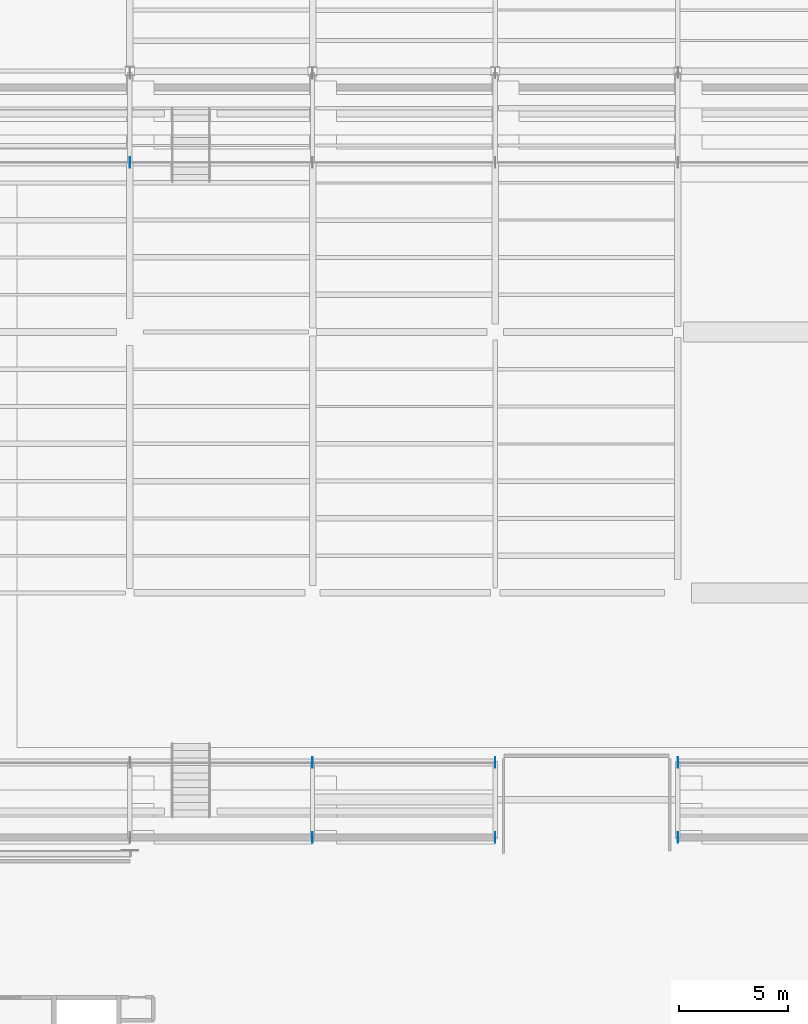
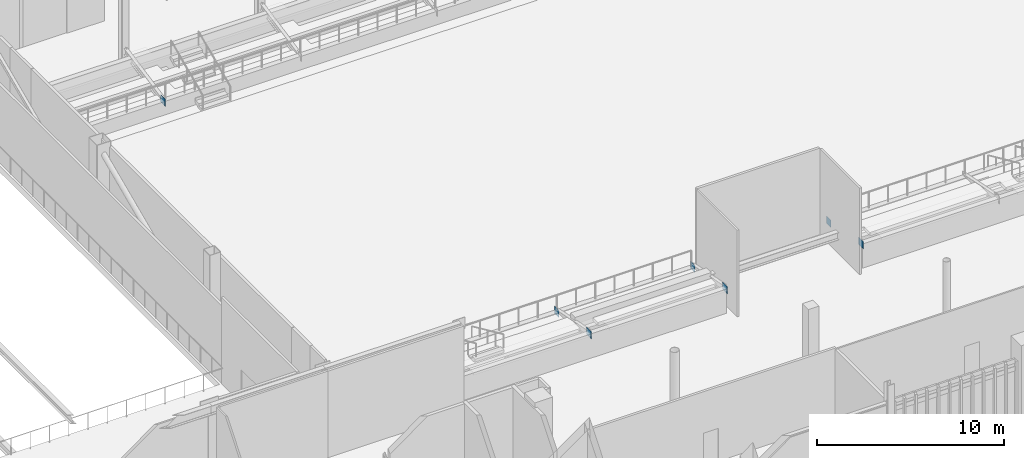
# One storey, part 87 of 135: 7 plates.
"""IFC4 building model written with IfcOpenShell, lengths in metres."""

import ifcopenshell
import ifcopenshell.guid

model = None  # the IFC model being written
_history = None  # IfcOwnerHistory: only IFC2X3 demands one
_inside = {}  # id of a spatial element -> (the spatial element, [elements in it])
_under = {}  # id of a project, library or spatial element -> (it, [spatial elements below it])
_declared = {}  # id of a project -> (the project, [libraries it declares])
_typed = {}  # id of a type object -> (the type object, [elements of that type])
_made_of = {}  # id of a material, layer set ... -> (it, [elements and type objects made of it])


def new_model(schema):
    """Start an empty IFC model of exactly this schema.

    Asked for "IFC4X3", IfcOpenShell would pick the latest addendum, in which some entities
    have other attributes; the version numbers below select the first issue.
    IFC2X3 requires an IfcOwnerHistory on every rooted entity: one is made here for all.
    """
    global model, _history
    if schema == "IFC4X3":
        model = ifcopenshell.file(schema_version=(4, 3, 0, 0))
    else:
        model = ifcopenshell.file(schema=schema)
    _inside.clear()
    _under.clear()
    _declared.clear()
    _typed.clear()
    _made_of.clear()
    _history = None
    if model.schema == "IFC2X3":
        org = make("IfcOrganization", Name="unknown")
        user = make(
            "IfcPersonAndOrganization",
            ThePerson=make("IfcPerson", FamilyName="unknown"),
            TheOrganization=org,
        )
        app = make(
            "IfcApplication",
            ApplicationDeveloper=org,
            Version="unknown",
            ApplicationFullName="unknown",
            ApplicationIdentifier="unknown",
        )
        _history = make(
            "IfcOwnerHistory",
            OwningUser=user,
            OwningApplication=app,
            ChangeAction="ADDED",
            CreationDate=0,
        )
    return model


def make(cls, **values):
    """One entity of the class cls with the attributes given. An attribute that is None is left unset."""
    return model.create_entity(
        cls, **{name: value for name, value in values.items() if value is not None}
    )


def rooted(cls, **values):
    """An entity with a GlobalId (a new one), such as an element, a storey or a relation."""
    return make(cls, GlobalId=ifcopenshell.guid.new(), OwnerHistory=_history, **values)


def si_unit(unit_type, name, prefix=None):
    """IfcSIUnit, for example si_unit("LENGTHUNIT", "METRE", prefix="MILLI")."""
    return make("IfcSIUnit", UnitType=unit_type, Prefix=prefix, Name=name)


def assignment(units):
    """IfcUnitAssignment: the units of a project."""
    return None if units is None else make("IfcUnitAssignment", Units=units)


def point(xyz):
    """IfcCartesianPoint."""
    return None if xyz is None else make("IfcCartesianPoint", Coordinates=xyz)


def direction(xyz):
    """IfcDirection."""
    return None if xyz is None else make("IfcDirection", DirectionRatios=xyz)


def frame(location, z_axis=None, x_axis=None):
    """IfcAxis2Placement3D, a coordinate frame: its origin and axes. An axis left out is left unset."""
    return make(
        "IfcAxis2Placement3D",
        Location=point(location),
        Axis=direction(z_axis),
        RefDirection=direction(x_axis),
    )


def frame_2d(location, x_axis=None):
    """IfcAxis2Placement2D, a coordinate frame in the plane: its origin and x axis."""
    return make(
        "IfcAxis2Placement2D", Location=point(location), RefDirection=direction(x_axis)
    )


def origin():
    """The frame at (0, 0, 0) with its axes left unset."""
    return frame((0.0, 0.0, 0.0))


def origin_2d():
    """The frame at (0, 0) in the plane with its x axis left unset."""
    return frame_2d((0.0, 0.0))


def place(relative_to, where):
    """IfcLocalPlacement: puts the frame where relative to a parent placement (None: the world)."""
    return make(
        "IfcLocalPlacement", PlacementRelTo=relative_to, RelativePlacement=where
    )


def context(
    kind, dimensions, precision=None, world=None, true_north=None, identifier=None
):
    """IfcGeometricRepresentationContext, for example the 3D "Model" context."""
    return make(
        "IfcGeometricRepresentationContext",
        ContextIdentifier=identifier,
        ContextType=kind,
        CoordinateSpaceDimension=dimensions,
        Precision=precision,
        WorldCoordinateSystem=world,
        TrueNorth=true_north,
    )


def subcontext(parent, identifier, kind, view, scale=None):
    """IfcGeometricRepresentationSubContext, for example "Body" below "Model"."""
    return make(
        "IfcGeometricRepresentationSubContext",
        ContextIdentifier=identifier,
        ContextType=kind,
        ParentContext=parent,
        TargetScale=scale,
        TargetView=view,
    )


def project(units=None, contexts=None):
    """IfcProject with its units and contexts."""
    return rooted(
        "IfcProject",
        Name="project",
        RepresentationContexts=contexts,
        UnitsInContext=assignment(units),
    )


def spatial(cls, under=None, at=None, **own):
    """A site, building, storey or space (cls), placed at a placement, below another one or the project."""
    s = rooted(cls, ObjectPlacement=at, **own)
    if under is not None:
        _under.setdefault(under.id(), (under, []))[1].append(s)
    return s


def profile(cls, at=None, kind="AREA", **sizes):
    """A parametric profile (cls). Its sizes go by their IFC names, for example OverallWidth=200.0."""
    return make(cls, ProfileType=kind, Position=at, **sizes)


def rectangle(**sizes):
    """IfcRectangleProfileDef."""
    return profile("IfcRectangleProfileDef", **sizes)


def extrude(swept, where, along, depth):
    """IfcExtrudedAreaSolid: the profile swept, set in the frame where, extruded along a direction by depth."""
    return make(
        "IfcExtrudedAreaSolid",
        SweptArea=swept,
        Position=where,
        ExtrudedDirection=direction(along),
        Depth=depth,
    )


def shape(context_of_items, identifier, shape_type, items):
    """IfcShapeRepresentation: the items that make up one representation, for example the "Body"."""
    return make(
        "IfcShapeRepresentation",
        ContextOfItems=context_of_items,
        RepresentationIdentifier=identifier,
        RepresentationType=shape_type,
        Items=items,
    )


def material(Name=None, Category=None):
    """IfcMaterial."""
    return make("IfcMaterial", Name=Name, Category=Category)


def layer(
    of_material, thickness, ventilated=None, Name=None, Category=None, Priority=None
):
    """IfcMaterialLayer: one layer of a wall or slab, of a material (None: an air gap)."""
    return make(
        "IfcMaterialLayer",
        Material=of_material,
        LayerThickness=thickness,
        IsVentilated=ventilated,
        Name=Name,
        Category=Category,
        Priority=Priority,
    )


def layer_set(layers, Name=None):
    """IfcMaterialLayerSet."""
    return make("IfcMaterialLayerSet", MaterialLayers=layers, LayerSetName=Name)


def made_of(thing, what):
    """Note that an element or type object is made of a material, layer set ...; save() writes the relation."""
    if what is not None:
        _made_of.setdefault(what.id(), (what, []))[1].append(thing)
    return thing


def type_object(cls, material=None, **own):
    """A type object (cls), such as IfcWallType, which elements share."""
    return made_of(rooted(cls, **own), material)


def element(
    cls,
    number,
    at=None,
    inside=None,
    cuts=None,
    type_object=None,
    material=None,
    context=None,
    identifier="Body",
    shape_type=None,
    held_by="IfcProductDefinitionShape",
    body=None,
    shapes=None,
    **own,
):
    """One element of the class cls, such as IfcWall. Its Tag is "e" and its number.

    at: its placement. inside: the storey or other place that contains it. cuts: it is an
    opening in that element (IfcRelVoidsElement). A single representation is given by context,
    identifier, shape_type and body (its items); several are given by shapes. held_by: the class
    of the entity that holds the representations. save() writes the other relations.
    """
    e = rooted(cls, Tag="e%d" % number, ObjectPlacement=at, **own)
    if body is not None:
        shapes = [shape(context, identifier, shape_type, body)]
    if shapes is not None:
        e.Representation = make(held_by, Representations=shapes)
    if inside is not None:
        _inside.setdefault(inside.id(), (inside, []))[1].append(e)
    if cuts is not None:
        rooted(
            "IfcRelVoidsElement", RelatingBuildingElement=cuts, RelatedOpeningElement=e
        )
    if type_object is not None:
        _typed.setdefault(type_object.id(), (type_object, []))[1].append(e)
    return made_of(e, material)


def aggregate(whole, parts):
    """IfcRelAggregates: a whole, such as a stair, and the parts it consists of."""
    return rooted("IfcRelAggregates", RelatingObject=whole, RelatedObjects=parts)


def save(model, path):
    """Write the relations noted so far, then the file.

    IfcRelAggregates (storeys below a building ...), IfcRelContainedInSpatialStructure (elements
    in a storey), IfcRelDefinesByType, IfcRelAssociatesMaterial and IfcRelDeclares: one each for
    every whole, place, type object, material and project.
    """
    for whole, parts in _under.values():
        aggregate(whole, parts)
    for where, things in _inside.values():
        rooted(
            "IfcRelContainedInSpatialStructure",
            RelatedElements=things,
            RelatingStructure=where,
        )
    for kind, things in _typed.values():
        rooted("IfcRelDefinesByType", RelatedObjects=things, RelatingType=kind)
    for what, things in _made_of.values():
        rooted("IfcRelAssociatesMaterial", RelatedObjects=things, RelatingMaterial=what)
    for by, libraries in _declared.values():
        rooted("IfcRelDeclares", RelatingContext=by, RelatedDefinitions=libraries)
    model.write(path)


model = new_model("IFC4")

# Units and contexts
model_context = context("Model", 3, precision=1e-05, world=origin(), true_north=direction((0.0, 1.0)))
body_context = subcontext(model_context, "Body", "Model", "MODEL_VIEW")
ifc_project = project(units=[si_unit("LENGTHUNIT", "METRE"), si_unit("AREAUNIT", "SQUARE_METRE"), si_unit("VOLUMEUNIT", "CUBIC_METRE"), si_unit("PLANEANGLEUNIT", "RADIAN"), si_unit("MASSUNIT", "GRAM", prefix="KILO")], contexts=[model_context])

# Site, building, storey
site_placement = place(None, origin())
site = spatial("IfcSite", under=ifc_project, at=site_placement, CompositionType="ELEMENT")
building_placement = place(site_placement, origin())
building = spatial("IfcBuilding", under=site, at=building_placement, Name="Larkvane Passage Sports Hall", CompositionType="ELEMENT")
storey_placement = place(building_placement, frame((0.0, 0.0, 10.800048828125)))
storey = spatial("IfcBuildingStorey", under=building, at=storey_placement, Name="L02", CompositionType="ELEMENT", Elevation=10.800048828125)

# Plates
ifc_material = material(Name="Steel S460N", Category="steel")
ifc_layer = layer(ifc_material, 0.01611328125)
ifc_layer_set = layer_set([ifc_layer], Name="Steel S460N")
plate_type = type_object("IfcPlateType", Name="PLT-GUS-16", PredefinedType="USERDEFINED", material=ifc_layer_set)
for number, where, z_axis, x_axis, name in (
    (1, (43.199951171875, 71.39990234375, 0.60986328125), (0.0, 0.0, 1.0), (0.0, 1.0, 0.0), "Brace connection gusset plate 0049"),
    (2, (51.60009765625, 43.800048828125, 0.60986328125), (0.0, 0.0, 1.0), (0.0, -1.0, 0.0), "Brace connection gusset plate 0051"),
    (3, (51.60009765625, 40.35009765625, 1.31005859375), (0.0, 0.0, 1.0), (0.0, -1.0, 0.0), "Brace connection gusset plate 0052"),
    (4, (60.0, 43.800048828125, 0.60986328125), (0.0, 0.0, 1.0), (0.0, -1.0, 0.0), "Brace connection gusset plate 0055"),
    (5, (60.0, 40.35009765625, 1.31005859375), (0.0, 0.0, 1.0), (0.0, -1.0, 0.0), "Brace connection gusset plate 0056"),
    (6, (68.39990234375, 43.800048828125, 0.60986328125), (0.0, 0.0, 1.0), (0.0, -1.0, 0.0), "Brace connection gusset plate 0059"),
    (7, (68.39990234375, 40.35009765625, 1.31005859375), (0.0, 0.0, 1.0), (0.0, -1.0, 0.0), "Brace connection gusset plate 0060"),
):
    element("IfcPlate", number, at=place(storey_placement, frame(where, z_axis=z_axis, x_axis=x_axis)), inside=storey, type_object=plate_type, Name=name, ObjectType="GUSSET PLATE", PredefinedType="USERDEFINED", context=body_context, shape_type="SweptSolid", body=[
        extrude(rectangle(XDim=0.47998046875, YDim=0.01611328125, at=origin_2d()), origin(), (0.0, 0.0, 1.0), 0.47998046875),
    ])

save(model, "model.ifc")
